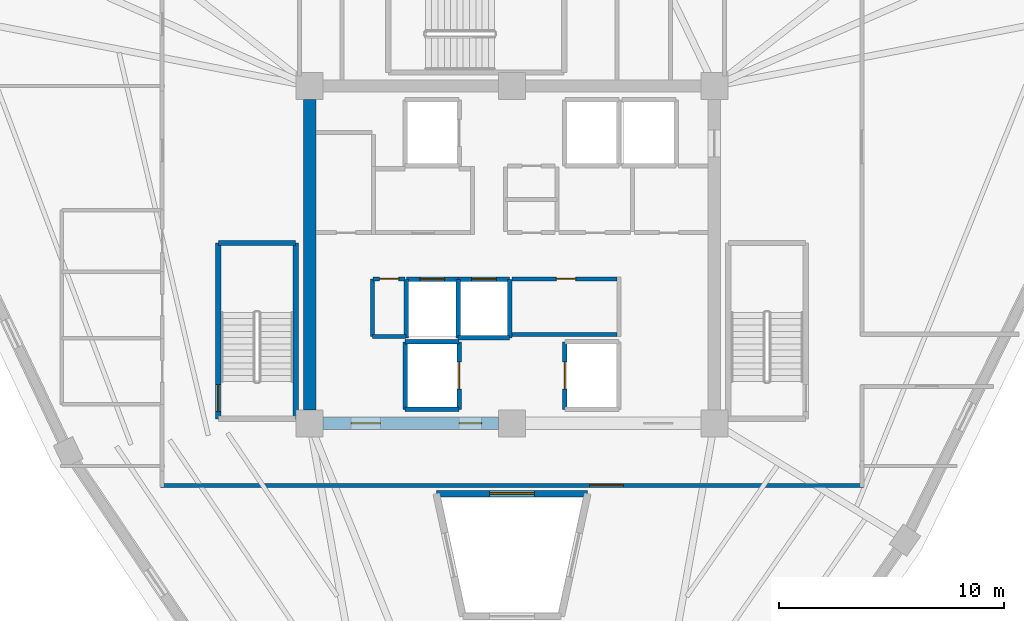
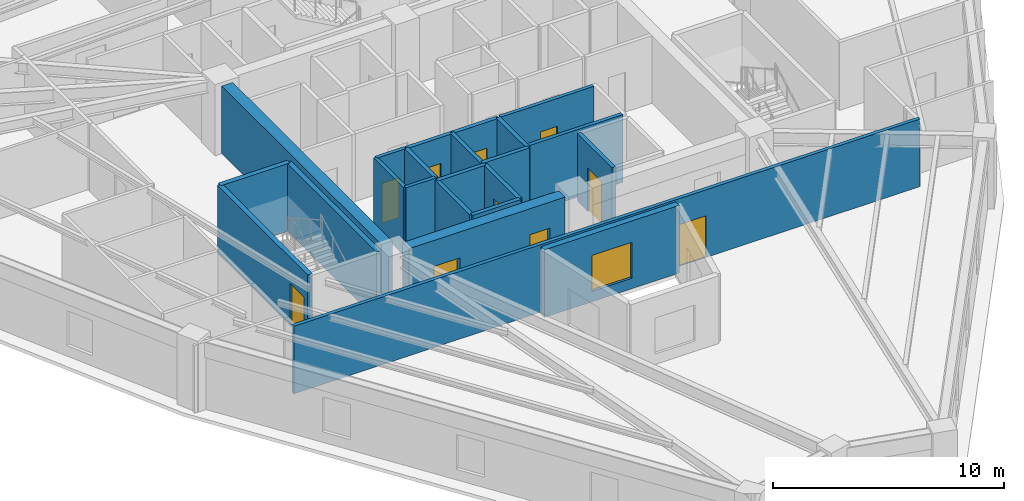
# One storey, part 3 of 8: 23 walls, 10 doors, 1 window, 11 openings.
"""IFC4 building model written with IfcOpenShell, lengths in metres."""

from ifc_helpers import new_model, si_unit, direction, frame, frame_2d, origin, place, context, subcontext, project, spatial, rectangle, extrude, source, transform, mapped, material, layer, layer_set, type_object, element, fill, save


model = new_model("IFC4")

# Units and contexts
model_context = context("Model", 3, precision=1e-05, world=origin(), true_north=direction((0.0, 1.0)))
body_context = subcontext(model_context, "Body", "Model", "MODEL_VIEW")
ifc_project = project(units=[si_unit("LENGTHUNIT", "METRE"), si_unit("AREAUNIT", "SQUARE_METRE"), si_unit("VOLUMEUNIT", "CUBIC_METRE"), si_unit("PLANEANGLEUNIT", "RADIAN"), si_unit("MASSUNIT", "GRAM", prefix="KILO")], contexts=[model_context])

# Site, building, storey
site_placement = place(None, origin())
site = spatial("IfcSite", under=ifc_project, at=site_placement, CompositionType="ELEMENT")
building_placement = place(site_placement, origin())
building = spatial("IfcBuilding", under=site, at=building_placement, Name="Liaohun Quay Tower", CompositionType="ELEMENT")
storey_placement = place(building_placement, frame((0.0, 0.0, 332.25)))
storey = spatial("IfcBuildingStorey", under=building, at=storey_placement, Name="L86", CompositionType="ELEMENT", Elevation=332.25)

# Wall, opening, window
ifc_material_1 = material(Name="Concrete C50", Category="concrete")
ifc_layer_1 = layer(ifc_material_1, 0.300048828125, Name="Concrete C50", Category="concrete")
ifc_layer_set_1 = layer_set([ifc_layer_1], Name="Concrete C50")
wall_type_1 = type_object("IfcWallType", Name="WAL-ATR-300", PredefinedType="SOLIDWALL", material=ifc_layer_set_1)
wall_1_placement = place(storey_placement, frame((56.631103515625, 43.3701171875, 0.0), z_axis=(0.0, 0.0, 1.0), x_axis=(1.0, 0.0, 0.0)))
wall_1 = element("IfcWall", 1, at=wall_1_placement, inside=storey, type_object=wall_type_1, Name="L86 Atrium Fire Compartment Wall 2", PredefinedType="SOLIDWALL", context=body_context, shape_type="SweptSolid", body=[
    extrude(rectangle(XDim=6.73779296875, YDim=0.300048828125, at=frame_2d((3.368896484375, 0.0))), origin(), (0.0, 0.0, 1.0), 3.570068359375),
])
shared_shape_1 = source(origin(), body_context, "Body", "SweptSolid", [
    extrude(rectangle(XDim=2.0, YDim=1.89990234375, at=frame_2d((1.0, 0.949951171875))), frame((0.0, 0.159912109375, 0.0), z_axis=(0.0, -1.0, 0.0), x_axis=(1.0, 0.0, 0.0)), (0.0, 0.0, 1.0), 0.320068359375),
])
opening_1_placement = place(wall_1_placement, frame((2.368896484375, 0.0, 0.550048828125)))
opening_1 = element("IfcOpeningElement", 2, at=opening_1_placement, cuts=wall_1, Name="Opening W07", PredefinedType="OPENING", context=body_context, shape_type="MappedRepresentation", body=[
    mapped(shared_shape_1, transform((0.0, 0.0, 0.0), x_axis=(1.0, 0.0, 0.0), y_axis=(0.0, 1.0, 0.0), z_axis=(0.0, 0.0, 1.0), scale=1.0)),
])
ifc_material_2 = material(Name="Class A 180-min fire-resistant insulated glazing", Category="glass")
window_type = type_object("IfcWindowType", Name="WIN-ATR-FIR", PartitioningType="DOUBLE_PANEL_VERTICAL", PredefinedType="WINDOW", material=ifc_material_2)
shared_shape_2 = source(origin(), body_context, "Body", "SweptSolid", [
    extrude(rectangle(XDim=2.0, YDim=1.89990234375, at=frame_2d((1.0, 0.949951171875))), frame((0.0, 0.030029296875, 0.0), z_axis=(0.0, -1.0, 0.0), x_axis=(1.0, 0.0, 0.0)), (0.0, 0.0, 1.0), 0.06005859375),
])
window_placement = place(opening_1_placement, origin())
window = element("IfcWindow", 3, at=window_placement, inside=storey, type_object=window_type, Name="L86 Atrium Fire-Resistant Glazing W07-2", OverallHeight=1.89990234375, OverallWidth=2.0, PartitioningType="DOUBLE_PANEL_VERTICAL", PredefinedType="WINDOW", context=body_context, shape_type="MappedRepresentation", body=[
    mapped(shared_shape_2, transform((0.0, 0.0, 0.0), x_axis=(1.0, 0.0, 0.0), y_axis=(0.0, 1.0, 0.0), z_axis=(0.0, 0.0, 1.0), scale=1.0)),
])
fill(opening_1, window)

# Wall, openings, doors
ifc_layer_2 = layer(ifc_material_1, 0.550048828125, Name="Concrete C50", Category="concrete")
ifc_layer_set_2 = layer_set([ifc_layer_2], Name="Concrete C50")
wall_type_2 = type_object("IfcWallType", Name="WAL-COR-Z4", PredefinedType="SHEAR", material=ifc_layer_set_2)
wall_2_placement = place(storey_placement, frame((59.39990234375, 46.5, 0.0), z_axis=(0.0, 0.0, 1.0), x_axis=(-1.0, 0.0, 0.0)))
wall_2 = element("IfcWall", 4, at=wall_2_placement, inside=storey, type_object=wall_type_2, Name="L86 Central Core Shear Wall S-W", PredefinedType="SHEAR", context=body_context, shape_type="SweptSolid", body=[
    extrude(rectangle(XDim=7.7998046875, YDim=0.550048828125, at=frame_2d((3.89990234375, 0.0))), origin(), (0.0, 0.0, 1.0), 3.570068359375),
])
shared_shape_3 = source(origin(), body_context, "Body", "SweptSolid", [
    extrude(rectangle(XDim=1.300048828125, YDim=2.199951171875, at=frame_2d((0.64990234375, 1.10009765625))), frame((0.0, 0.284912109375, 0.0), z_axis=(0.0, -1.0, 0.0), x_axis=(1.0, 0.0, 0.0)), (0.0, 0.0, 1.0), 0.570068359375),
])
opening_2_placement = place(wall_2_placement, frame((5.25, 0.0, 0.0)))
opening_2 = element("IfcOpeningElement", 5, at=opening_2_placement, cuts=wall_2, Name="Opening FD1", PredefinedType="OPENING", context=body_context, shape_type="MappedRepresentation", body=[
    mapped(shared_shape_3, transform((0.0, 0.0, 0.0), x_axis=(1.0, 0.0, 0.0), y_axis=(0.0, 1.0, 0.0), z_axis=(0.0, 0.0, 1.0), scale=1.0)),
])
shared_shape_4 = source(origin(), body_context, "Body", "SweptSolid", [
    extrude(rectangle(XDim=1.0, YDim=2.199951171875, at=frame_2d((0.5, 1.10009765625))), frame((0.0, 0.284912109375, 0.0), z_axis=(0.0, -1.0, 0.0), x_axis=(1.0, 0.0, 0.0)), (0.0, 0.0, 1.0), 0.570068359375),
])
opening_3_placement = place(wall_2_placement, frame((0.75, 0.0, 0.0)))
opening_3 = element("IfcOpeningElement", 6, at=opening_3_placement, cuts=wall_2, Name="Opening FD2", PredefinedType="OPENING", context=body_context, shape_type="MappedRepresentation", body=[
    mapped(shared_shape_4, transform((0.0, 0.0, 0.0), x_axis=(1.0, 0.0, 0.0), y_axis=(0.0, 1.0, 0.0), z_axis=(0.0, 0.0, 1.0), scale=1.0)),
])
ifc_material_3 = material(Name="Galvanised steel smokeproof fire door", Category="steel")
door_type_1 = type_object("IfcDoorType", Name="DOR-FFL-1300", OperationType="NOTDEFINED", PredefinedType="DOOR", material=ifc_material_3)
shared_shape_5 = source(origin(), body_context, "Body", "SweptSolid", [
    extrude(rectangle(XDim=1.300048828125, YDim=2.199951171875, at=frame_2d((0.64990234375, 1.10009765625))), frame((0.0, 0.02490234375, 0.0), z_axis=(0.0, -1.0, 0.0), x_axis=(1.0, 0.0, 0.0)), (0.0, 0.0, 1.0), 0.050048828125),
])
door_1_placement = place(opening_2_placement, origin())
door_1 = element("IfcDoor", 7, at=door_1_placement, inside=storey, type_object=door_type_1, Name="L86 West Core Lift Lobby Smokeproof Door", OperationType="SINGLE_SWING_RIGHT", OverallHeight=2.199951171875, OverallWidth=1.300048828125, PredefinedType="DOOR", context=body_context, shape_type="MappedRepresentation", body=[
    mapped(shared_shape_5, transform((0.0, 0.0, 0.0), x_axis=(1.0, 0.0, 0.0), y_axis=(0.0, 1.0, 0.0), z_axis=(0.0, 0.0, 1.0), scale=1.0)),
])
fill(opening_2, door_1)
ifc_material_4 = material(Name="Galvanised steel smokeproof lobby fire door", Category="steel")
door_type_2 = type_object("IfcDoorType", Name="DOR-FFL-1000", OperationType="NOTDEFINED", PredefinedType="DOOR", material=ifc_material_4)
shared_shape_6 = source(origin(), body_context, "Body", "SweptSolid", [
    extrude(rectangle(XDim=1.0, YDim=2.199951171875, at=frame_2d((0.5, 1.10009765625))), frame((0.0, 0.02490234375, 0.0), z_axis=(0.0, -1.0, 0.0), x_axis=(1.0, 0.0, 0.0)), (0.0, 0.0, 1.0), 0.050048828125),
])
door_2_placement = place(opening_3_placement, origin())
door_2 = element("IfcDoor", 8, at=door_2_placement, inside=storey, type_object=door_type_2, Name="L86 South Firefighting Lobby Smokeproof Door", OperationType="SINGLE_SWING_LEFT", OverallHeight=2.199951171875, OverallWidth=1.0, PredefinedType="DOOR", context=body_context, shape_type="MappedRepresentation", body=[
    mapped(shared_shape_6, transform((0.0, 0.0, 0.0), x_axis=(1.0, 0.0, 0.0), y_axis=(0.0, 1.0, 0.0), z_axis=(0.0, 0.0, 1.0), scale=1.0)),
])
fill(opening_3, door_2)

# Wall
wall_3_placement = place(storey_placement, frame((51.0, 47.10009765625, 0.0), z_axis=(0.0, 0.0, 1.0), x_axis=(0.0, 1.0, 0.0)))
element("IfcWall", 9, at=wall_3_placement, inside=storey, type_object=wall_type_2, Name="L86 Central Core Shear Wall W", PredefinedType="SHEAR", context=body_context, shape_type="SweptSolid", body=[
    extrude(rectangle(XDim=13.7998046875, YDim=0.550048828125, at=frame_2d((6.89990234375, 0.0))), origin(), (0.0, 0.0, 1.0), 3.570068359375),
])

# Wall, opening, door
ifc_material_5 = material(Name="Autoclaved aerated concrete blockwork", Category="masonry")
ifc_layer_3 = layer(ifc_material_5, 0.179931640625, Name="Autoclaved aerated concrete blockwork", Category="masonry")
ifc_layer_set_3 = layer_set([ifc_layer_3], Name="Autoclaved aerated concrete blockwork")
wall_type_3 = type_object("IfcWallType", Name="WAL-PRT-COR", PredefinedType="PARTITIONING", material=ifc_layer_set_3)
wall_4_placement = place(storey_placement, frame((60.0, 52.919921875, 0.0), z_axis=(0.0, 0.0, 1.0), x_axis=(1.0, 0.0, 0.0)))
wall_4 = element("IfcWall", 10, at=wall_4_placement, inside=storey, type_object=wall_type_3, Name="L86 Interior Partition Wall 001", PredefinedType="PARTITIONING", context=body_context, shape_type="SweptSolid", body=[
    extrude(rectangle(XDim=4.659912109375, YDim=0.179931640625, at=frame_2d((2.330078125, 0.0))), origin(), (0.0, 0.0, 1.0), 3.570068359375),
])
shared_shape_7 = source(origin(), body_context, "Body", "SweptSolid", [
    extrude(rectangle(XDim=0.85009765625, YDim=2.10009765625, at=frame_2d((0.425048828125, 1.050048828125))), frame((0.0, 0.099853515625, 0.0), z_axis=(0.0, -1.0, 0.0), x_axis=(1.0, 0.0, 0.0)), (0.0, 0.0, 1.0), 0.199951171875),
])
opening_4_placement = place(wall_4_placement, frame((1.97509765625, 0.0, 0.0)))
opening_4 = element("IfcOpeningElement", 11, at=opening_4_placement, cuts=wall_4, Name="Opening AD1", PredefinedType="OPENING", context=body_context, shape_type="MappedRepresentation", body=[
    mapped(shared_shape_7, transform((0.0, 0.0, 0.0), x_axis=(1.0, 0.0, 0.0), y_axis=(0.0, 1.0, 0.0), z_axis=(0.0, 0.0, 1.0), scale=1.0)),
])
ifc_material_6 = material(Name="Steel riser inspection fire door", Category="steel")
door_type_3 = type_object("IfcDoorType", Name="DOR-SHF-850", OperationType="NOTDEFINED", PredefinedType="DOOR", material=ifc_material_6)
shared_shape_8 = source(origin(), body_context, "Body", "SweptSolid", [
    extrude(rectangle(XDim=0.85009765625, YDim=2.10009765625, at=frame_2d((0.425048828125, 1.050048828125))), frame((0.0, 0.02490234375, 0.0), z_axis=(0.0, -1.0, 0.0), x_axis=(1.0, 0.0, 0.0)), (0.0, 0.0, 1.0), 0.050048828125),
])
door_3_placement = place(opening_4_placement, origin())
door_3 = element("IfcDoor", 12, at=door_3_placement, inside=storey, type_object=door_type_3, Name="L86 Core High-Zone BMS and Switch Room Door", OperationType="SINGLE_SWING_RIGHT", OverallHeight=2.10009765625, OverallWidth=0.85009765625, PredefinedType="DOOR", context=body_context, shape_type="MappedRepresentation", body=[
    mapped(shared_shape_8, transform((0.0, 0.0, 0.0), x_axis=(1.0, 0.0, 0.0), y_axis=(0.0, 1.0, 0.0), z_axis=(0.0, 0.0, 1.0), scale=1.0)),
])
fill(opening_4, door_3)

wall_5_placement = place(storey_placement, frame((53.820068359375, 52.919921875, 0.0), z_axis=(0.0, 0.0, 1.0), x_axis=(1.0, 0.0, 0.0)))
wall_5 = element("IfcWall", 13, at=wall_5_placement, inside=storey, type_object=wall_type_3, Name="L86 Interior Partition Wall 008", PredefinedType="PARTITIONING", context=body_context, shape_type="SweptSolid", body=[
    extrude(rectangle(XDim=1.429931640625, YDim=0.179931640625, at=frame_2d((0.71484375, 0.0))), origin(), (0.0, 0.0, 1.0), 3.570068359375),
])
opening_5_placement = place(wall_5_placement, frame((0.2900390625, 0.0, 0.0)))
opening_5 = element("IfcOpeningElement", 14, at=opening_5_placement, cuts=wall_5, Name="Opening AD1", PredefinedType="OPENING", context=body_context, shape_type="MappedRepresentation", body=[
    mapped(shared_shape_7, transform((0.0, 0.0, 0.0), x_axis=(1.0, 0.0, 0.0), y_axis=(0.0, 1.0, 0.0), z_axis=(0.0, 0.0, 1.0), scale=1.0)),
])
door_4_placement = place(opening_5_placement, origin())
door_4 = element("IfcDoor", 15, at=door_4_placement, inside=storey, type_object=door_type_3, Name="L86 Core Fire Hose and Riser Closet Door", OperationType="SINGLE_SWING_LEFT", OverallHeight=2.10009765625, OverallWidth=0.85009765625, PredefinedType="DOOR", context=body_context, shape_type="MappedRepresentation", body=[
    mapped(shared_shape_8, transform((0.0, 0.0, 0.0), x_axis=(1.0, 0.0, 0.0), y_axis=(0.0, 1.0, 0.0), z_axis=(0.0, 0.0, 1.0), scale=1.0)),
])
fill(opening_5, door_4)

wall_6_placement = place(storey_placement, frame((75.6298828125, 43.739990234375, 0.0), z_axis=(0.0, 0.0, 1.0), x_axis=(-1.0, 0.0, 0.0)))
wall_6 = element("IfcWall", 16, at=wall_6_placement, inside=storey, type_object=wall_type_3, Name="L86 Interior Partition Wall 026", PredefinedType="PARTITIONING", context=body_context, shape_type="SweptSolid", body=[
    extrude(rectangle(XDim=31.259765625, YDim=0.179931640625, at=frame_2d((15.6298828125, 0.0))), origin(), (0.0, 0.0, 1.0), 3.570068359375),
])
shared_shape_9 = source(origin(), body_context, "Body", "SweptSolid", [
    extrude(rectangle(XDim=1.5, YDim=2.199951171875, at=frame_2d((0.75, 1.10009765625))), frame((0.0, 0.099853515625, 0.0), z_axis=(0.0, -1.0, 0.0), x_axis=(1.0, 0.0, 0.0)), (0.0, 0.0, 1.0), 0.199951171875),
])
opening_6_placement = place(wall_6_placement, frame((10.679931640625, 0.0, 0.0)))
opening_6 = element("IfcOpeningElement", 17, at=opening_6_placement, cuts=wall_6, Name="Opening OD2", PredefinedType="OPENING", context=body_context, shape_type="MappedRepresentation", body=[
    mapped(shared_shape_9, transform((0.0, 0.0, 0.0), x_axis=(1.0, 0.0, 0.0), y_axis=(0.0, 1.0, 0.0), z_axis=(0.0, 0.0, 1.0), scale=1.0)),
])
ifc_material_7 = material(Name="Acoustic oak veneer double door")
door_type_4 = type_object("IfcDoorType", Name="DOR-OFF-1500", OperationType="DOUBLE_DOOR_SINGLE_SWING", PredefinedType="DOOR", material=ifc_material_7)
shared_shape_10 = source(origin(), body_context, "Body", "SweptSolid", [
    extrude(rectangle(XDim=1.5, YDim=2.199951171875, at=frame_2d((0.75, 1.10009765625))), frame((0.0, 0.02490234375, 0.0), z_axis=(0.0, -1.0, 0.0), x_axis=(1.0, 0.0, 0.0)), (0.0, 0.0, 1.0), 0.050048828125),
])
door_5_placement = place(opening_6_placement, origin())
door_5 = element("IfcDoor", 18, at=door_5_placement, inside=storey, type_object=door_type_4, Name="L86 Corporate Exhibition Gallery 08 Door", OperationType="DOUBLE_DOOR_SINGLE_SWING", OverallHeight=2.199951171875, OverallWidth=1.5, PredefinedType="DOOR", context=body_context, shape_type="MappedRepresentation", body=[
    mapped(shared_shape_10, transform((0.0, 0.0, 0.0), x_axis=(1.0, 0.0, 0.0), y_axis=(0.0, 1.0, 0.0), z_axis=(0.0, 0.0, 1.0), scale=1.0)),
])
fill(opening_6, door_5)

# Walls
wall_7_placement = place(storey_placement, frame((53.7900390625, 50.35009765625, 0.0), z_axis=(0.0, 0.0, 1.0), x_axis=(0.0, 1.0, 0.0)))
element("IfcWall", 19, at=wall_7_placement, inside=storey, type_object=wall_type_3, Name="L86 Interior Partition Wall 033", PredefinedType="PARTITIONING", context=body_context, shape_type="SweptSolid", body=[
    extrude(rectangle(XDim=2.56982421875, YDim=0.179931640625, at=frame_2d((1.284912109375, 0.0))), origin(), (0.0, 0.0, 1.0), 3.570068359375),
])
wall_8_placement = place(storey_placement, frame((53.7900390625, 50.35009765625, 0.0), z_axis=(0.0, 0.0, 1.0), x_axis=(1.0, 0.0, 0.0)))
element("IfcWall", 20, at=wall_8_placement, inside=storey, type_object=wall_type_3, Name="L86 Interior Partition Wall 034", PredefinedType="PARTITIONING", context=body_context, shape_type="SweptSolid", body=[
    extrude(rectangle(XDim=1.489990234375, YDim=0.179931640625, at=frame_2d((0.7451171875, 0.0))), origin(), (0.0, 0.0, 1.0), 3.570068359375),
])
wall_9_placement = place(storey_placement, frame((60.0, 50.449951171875, 0.0), z_axis=(0.0, 0.0, 1.0), x_axis=(1.0, 0.0, 0.0)))
element("IfcWall", 21, at=wall_9_placement, inside=storey, type_object=wall_type_3, Name="L86 Interior Partition Wall 062", PredefinedType="PARTITIONING", context=body_context, shape_type="SweptSolid", body=[
    extrude(rectangle(XDim=4.659912109375, YDim=0.179931640625, at=frame_2d((2.330078125, 0.0))), origin(), (0.0, 0.0, 1.0), 3.570068359375),
])
ifc_layer_4 = layer(ifc_material_1, 0.239990234375, Name="Concrete C50", Category="concrete")
ifc_layer_set_4 = layer_set([ifc_layer_4], Name="Concrete C50")
wall_type_4 = type_object("IfcWallType", Name="WAL-SHF-200", PredefinedType="SOLIDWALL", material=ifc_layer_set_4)
wall_10_placement = place(storey_placement, frame((50.3798828125, 46.699951171875, 0.0), z_axis=(0.0, 0.0, 1.0), x_axis=(0.0, 1.0, 0.0)))
element("IfcWall", 22, at=wall_10_placement, inside=storey, type_object=wall_type_4, Name="L86 Stairwell ST-1 Structural Core Wall E", PredefinedType="SOLIDWALL", context=body_context, shape_type="SweptSolid", body=[
    extrude(rectangle(XDim=7.820068359375, YDim=0.239990234375, at=frame_2d((3.91015625, 0.0))), origin(), (0.0, 0.0, 1.0), 3.570068359375),
])
wall_11_placement = place(storey_placement, frame((50.3798828125, 54.52001953125, 0.0), z_axis=(0.0, 0.0, 1.0), x_axis=(-1.0, 0.0, 0.0)))
element("IfcWall", 23, at=wall_11_placement, inside=storey, type_object=wall_type_4, Name="L86 Stairwell ST-1 Structural Core Wall N", PredefinedType="SOLIDWALL", context=body_context, shape_type="SweptSolid", body=[
    extrude(rectangle(XDim=3.43994140625, YDim=0.239990234375, at=frame_2d((1.719970703125, 0.0))), origin(), (0.0, 0.0, 1.0), 3.570068359375),
])

# Wall, opening, door
wall_12_placement = place(storey_placement, frame((46.93994140625, 54.52001953125, 0.0), z_axis=(0.0, 0.0, 1.0), x_axis=(0.0, -1.0, 0.0)))
wall_12 = element("IfcWall", 24, at=wall_12_placement, inside=storey, type_object=wall_type_4, Name="L86 Stairwell ST-1 Structural Core Wall W", PredefinedType="SOLIDWALL", context=body_context, shape_type="SweptSolid", body=[
    extrude(rectangle(XDim=7.820068359375, YDim=0.239990234375, at=frame_2d((3.91015625, 0.0))), origin(), (0.0, 0.0, 1.0), 3.570068359375),
])
shared_shape_11 = source(origin(), body_context, "Body", "SweptSolid", [
    extrude(rectangle(XDim=1.199951171875, YDim=2.199951171875, at=frame_2d((0.60009765625, 1.10009765625))), frame((0.0, 0.1298828125, 0.0), z_axis=(0.0, -1.0, 0.0), x_axis=(1.0, 0.0, 0.0)), (0.0, 0.0, 1.0), 0.260009765625),
])
opening_7_placement = place(wall_12_placement, frame((6.300048828125, 0.0, 0.0)))
opening_7 = element("IfcOpeningElement", 25, at=opening_7_placement, cuts=wall_12, Name="Opening SD1", PredefinedType="OPENING", context=body_context, shape_type="MappedRepresentation", body=[
    mapped(shared_shape_11, transform((0.0, 0.0, 0.0), x_axis=(1.0, 0.0, 0.0), y_axis=(0.0, 1.0, 0.0), z_axis=(0.0, 0.0, 1.0), scale=1.0)),
])
ifc_material_8 = material(Name="Galvanised steel fire door", Category="steel")
door_type_5 = type_object("IfcDoorType", Name="DOR-STR-1200", OperationType="NOTDEFINED", PredefinedType="DOOR", material=ifc_material_8)
shared_shape_12 = source(origin(), body_context, "Body", "SweptSolid", [
    extrude(rectangle(XDim=1.199951171875, YDim=2.199951171875, at=frame_2d((0.60009765625, 1.10009765625))), frame((0.0, 0.02490234375, 0.0), z_axis=(0.0, -1.0, 0.0), x_axis=(1.0, 0.0, 0.0)), (0.0, 0.0, 1.0), 0.050048828125),
])
door_6_placement = place(opening_7_placement, origin())
door_6 = element("IfcDoor", 26, at=door_6_placement, inside=storey, type_object=door_type_5, Name="L86 Protected Stair ST-1 Fire Door", OperationType="SINGLE_SWING_LEFT", OverallHeight=2.199951171875, OverallWidth=1.199951171875, PredefinedType="DOOR", context=body_context, shape_type="MappedRepresentation", body=[
    mapped(shared_shape_12, transform((0.0, 0.0, 0.0), x_axis=(1.0, 0.0, 0.0), y_axis=(0.0, 1.0, 0.0), z_axis=(0.0, 0.0, 1.0), scale=1.0)),
])
fill(opening_7, door_6)

# Wall
wall_13_placement = place(storey_placement, frame((55.25, 47.1201171875, 0.0), z_axis=(0.0, 0.0, 1.0), x_axis=(1.0, 0.0, 0.0)))
element("IfcWall", 27, at=wall_13_placement, inside=storey, type_object=wall_type_4, Name="L86 Lift FF-01 Hoistway Wall S", PredefinedType="SOLIDWALL", context=body_context, shape_type="SweptSolid", body=[
    extrude(rectangle(XDim=2.39990234375, YDim=0.199951171875, at=frame_2d((1.199951171875, 0.0))), origin(), (0.0, 0.0, 1.0), 3.570068359375),
])

# Wall, opening, door
wall_14_placement = place(storey_placement, frame((57.64990234375, 47.1201171875, 0.0), z_axis=(0.0, 0.0, 1.0), x_axis=(0.0, 1.0, 0.0)))
wall_14 = element("IfcWall", 28, at=wall_14_placement, inside=storey, type_object=wall_type_4, Name="L86 Lift FF-01 Hoistway Wall E", PredefinedType="SOLIDWALL", context=body_context, shape_type="SweptSolid", body=[
    extrude(rectangle(XDim=3.0, YDim=0.199951171875, at=frame_2d((1.5, 0.0))), origin(), (0.0, 0.0, 1.0), 3.570068359375),
])
shared_shape_13 = source(origin(), body_context, "Body", "SweptSolid", [
    extrude(rectangle(XDim=1.199951171875, YDim=2.300048828125, at=frame_2d((0.60009765625, 1.14990234375))), frame((0.0, 0.10986328125, 0.0), z_axis=(0.0, -1.0, 0.0), x_axis=(1.0, 0.0, 0.0)), (0.0, 0.0, 1.0), 0.219970703125),
])
opening_8_placement = place(wall_14_placement, frame((0.89990234375, 0.0, 0.0)))
opening_8 = element("IfcOpeningElement", 29, at=opening_8_placement, cuts=wall_14, Name="Opening LD2", PredefinedType="OPENING", context=body_context, shape_type="MappedRepresentation", body=[
    mapped(shared_shape_13, transform((0.0, 0.0, 0.0), x_axis=(1.0, 0.0, 0.0), y_axis=(0.0, 1.0, 0.0), z_axis=(0.0, 0.0, 1.0), scale=1.0)),
])
ifc_material_9 = material(Name="Brushed stainless steel stretcher landing door", Category="steel")
door_type_6 = type_object("IfcDoorType", Name="DOR-LFT-1200", OperationType="SLIDING_TO_LEFT", PredefinedType="DOOR", material=ifc_material_9)
shared_shape_14 = source(origin(), body_context, "Body", "SweptSolid", [
    extrude(rectangle(XDim=1.199951171875, YDim=2.300048828125, at=frame_2d((0.60009765625, 1.14990234375))), frame((0.0, 0.02490234375, 0.0), z_axis=(0.0, -1.0, 0.0), x_axis=(1.0, 0.0, 0.0)), (0.0, 0.0, 1.0), 0.050048828125),
])
door_7_placement = place(opening_8_placement, origin())
door_7 = element("IfcDoor", 30, at=door_7_placement, inside=storey, type_object=door_type_6, Name="L86 Lift FF-01 Sliding Landing Door", OperationType="SLIDING_TO_LEFT", OverallHeight=2.300048828125, OverallWidth=1.199951171875, PredefinedType="DOOR", context=body_context, shape_type="MappedRepresentation", body=[
    mapped(shared_shape_14, transform((0.0, 0.0, 0.0), x_axis=(1.0, 0.0, 0.0), y_axis=(0.0, 1.0, 0.0), z_axis=(0.0, 0.0, 1.0), scale=1.0)),
])
fill(opening_8, door_7)

# Walls
wall_15_placement = place(storey_placement, frame((57.64990234375, 50.1201171875, 0.0), z_axis=(0.0, 0.0, 1.0), x_axis=(-1.0, 0.0, 0.0)))
element("IfcWall", 31, at=wall_15_placement, inside=storey, type_object=wall_type_4, Name="L86 Lift FF-01 Hoistway Wall N", PredefinedType="SOLIDWALL", context=body_context, shape_type="SweptSolid", body=[
    extrude(rectangle(XDim=2.39990234375, YDim=0.199951171875, at=frame_2d((1.199951171875, 0.0))), origin(), (0.0, 0.0, 1.0), 3.570068359375),
])
wall_16_placement = place(storey_placement, frame((55.25, 50.1201171875, 0.0), z_axis=(0.0, 0.0, 1.0), x_axis=(0.0, -1.0, 0.0)))
element("IfcWall", 32, at=wall_16_placement, inside=storey, type_object=wall_type_4, Name="L86 Lift FF-01 Hoistway Wall W", PredefinedType="SOLIDWALL", context=body_context, shape_type="SweptSolid", body=[
    extrude(rectangle(XDim=3.0, YDim=0.199951171875, at=frame_2d((1.5, 0.0))), origin(), (0.0, 0.0, 1.0), 3.570068359375),
])

# Wall, opening, door
wall_17_placement = place(storey_placement, frame((62.35009765625, 50.1201171875, 0.0), z_axis=(0.0, 0.0, 1.0), x_axis=(0.0, -1.0, 0.0)))
wall_17 = element("IfcWall", 33, at=wall_17_placement, inside=storey, type_object=wall_type_4, Name="L86 Lift FF-02 Hoistway Wall W", PredefinedType="SOLIDWALL", context=body_context, shape_type="SweptSolid", body=[
    extrude(rectangle(XDim=3.0, YDim=0.199951171875, at=frame_2d((1.5, 0.0))), origin(), (0.0, 0.0, 1.0), 3.570068359375),
])
opening_9_placement = place(wall_17_placement, frame((0.89990234375, 0.0, 0.0)))
opening_9 = element("IfcOpeningElement", 34, at=opening_9_placement, cuts=wall_17, Name="Opening LD2", PredefinedType="OPENING", context=body_context, shape_type="MappedRepresentation", body=[
    mapped(shared_shape_13, transform((0.0, 0.0, 0.0), x_axis=(1.0, 0.0, 0.0), y_axis=(0.0, 1.0, 0.0), z_axis=(0.0, 0.0, 1.0), scale=1.0)),
])
door_8_placement = place(opening_9_placement, origin())
door_8 = element("IfcDoor", 35, at=door_8_placement, inside=storey, type_object=door_type_6, Name="L86 Lift FF-02 Sliding Landing Door", OperationType="SLIDING_TO_LEFT", OverallHeight=2.300048828125, OverallWidth=1.199951171875, PredefinedType="DOOR", context=body_context, shape_type="MappedRepresentation", body=[
    mapped(shared_shape_14, transform((0.0, 0.0, 0.0), x_axis=(1.0, 0.0, 0.0), y_axis=(0.0, 1.0, 0.0), z_axis=(0.0, 0.0, 1.0), scale=1.0)),
])
fill(opening_9, door_8)

# Wall
wall_18_placement = place(storey_placement, frame((57.60009765625, 50.300048828125, 0.0), z_axis=(0.0, 0.0, 1.0), x_axis=(0.0, 1.0, 0.0)))
element("IfcWall", 36, at=wall_18_placement, inside=storey, type_object=wall_type_4, Name="L86 Lift PL-4A Hoistway Wall E", PredefinedType="SOLIDWALL", context=body_context, shape_type="SweptSolid", body=[
    extrude(rectangle(XDim=2.599853515625, YDim=0.199951171875, at=frame_2d((1.2998046875, 0.0))), origin(), (0.0, 0.0, 1.0), 3.570068359375),
])

# Wall, opening, door
wall_19_placement = place(storey_placement, frame((57.60009765625, 52.89990234375, 0.0), z_axis=(0.0, 0.0, 1.0), x_axis=(-1.0, 0.0, 0.0)))
wall_19 = element("IfcWall", 37, at=wall_19_placement, inside=storey, type_object=wall_type_4, Name="L86 Lift PL-4A Hoistway Wall N", PredefinedType="SOLIDWALL", context=body_context, shape_type="SweptSolid", body=[
    extrude(rectangle(XDim=2.300048828125, YDim=0.199951171875, at=frame_2d((1.14990234375, 0.0))), origin(), (0.0, 0.0, 1.0), 3.570068359375),
])
shared_shape_15 = source(origin(), body_context, "Body", "SweptSolid", [
    extrude(rectangle(XDim=1.10009765625, YDim=2.199951171875, at=frame_2d((0.550048828125, 1.10009765625))), frame((0.0, 0.10986328125, 0.0), z_axis=(0.0, -1.0, 0.0), x_axis=(1.0, 0.0, 0.0)), (0.0, 0.0, 1.0), 0.219970703125),
])
opening_10_placement = place(wall_19_placement, frame((0.60009765625, 0.0, 0.0)))
opening_10 = element("IfcOpeningElement", 38, at=opening_10_placement, cuts=wall_19, Name="Opening LD1", PredefinedType="OPENING", context=body_context, shape_type="MappedRepresentation", body=[
    mapped(shared_shape_15, transform((0.0, 0.0, 0.0), x_axis=(1.0, 0.0, 0.0), y_axis=(0.0, 1.0, 0.0), z_axis=(0.0, 0.0, 1.0), scale=1.0)),
])
ifc_material_10 = material(Name="Brushed stainless steel landing door", Category="steel")
door_type_7 = type_object("IfcDoorType", Name="DOR-LFT-1100", OperationType="SLIDING_TO_LEFT", PredefinedType="DOOR", material=ifc_material_10)
shared_shape_16 = source(origin(), body_context, "Body", "SweptSolid", [
    extrude(rectangle(XDim=1.10009765625, YDim=2.199951171875, at=frame_2d((0.550048828125, 1.10009765625))), frame((0.0, 0.02490234375, 0.0), z_axis=(0.0, -1.0, 0.0), x_axis=(1.0, 0.0, 0.0)), (0.0, 0.0, 1.0), 0.050048828125),
])
door_9_placement = place(opening_10_placement, origin())
door_9 = element("IfcDoor", 39, at=door_9_placement, inside=storey, type_object=door_type_7, Name="L86 Lift PL-4A Sliding Landing Door", OperationType="SLIDING_TO_LEFT", OverallHeight=2.199951171875, OverallWidth=1.10009765625, PredefinedType="DOOR", context=body_context, shape_type="MappedRepresentation", body=[
    mapped(shared_shape_16, transform((0.0, 0.0, 0.0), x_axis=(1.0, 0.0, 0.0), y_axis=(0.0, 1.0, 0.0), z_axis=(0.0, 0.0, 1.0), scale=1.0)),
])
fill(opening_10, door_9)

# Walls
wall_20_placement = place(storey_placement, frame((55.300048828125, 52.89990234375, 0.0), z_axis=(0.0, 0.0, 1.0), x_axis=(0.0, -1.0, 0.0)))
element("IfcWall", 40, at=wall_20_placement, inside=storey, type_object=wall_type_4, Name="L86 Lift PL-4A Hoistway Wall W", PredefinedType="SOLIDWALL", context=body_context, shape_type="SweptSolid", body=[
    extrude(rectangle(XDim=2.599853515625, YDim=0.199951171875, at=frame_2d((1.2998046875, 0.0))), origin(), (0.0, 0.0, 1.0), 3.570068359375),
])
wall_21_placement = place(storey_placement, frame((57.60009765625, 50.300048828125, 0.0), z_axis=(0.0, 0.0, 1.0), x_axis=(1.0, 0.0, 0.0)))
element("IfcWall", 41, at=wall_21_placement, inside=storey, type_object=wall_type_4, Name="L86 Lift PL-4B Hoistway Wall S", PredefinedType="SOLIDWALL", context=body_context, shape_type="SweptSolid", body=[
    extrude(rectangle(XDim=2.2998046875, YDim=0.199951171875, at=frame_2d((1.14990234375, 0.0))), origin(), (0.0, 0.0, 1.0), 3.570068359375),
])
wall_22_placement = place(storey_placement, frame((59.89990234375, 50.300048828125, 0.0), z_axis=(0.0, 0.0, 1.0), x_axis=(0.0, 1.0, 0.0)))
element("IfcWall", 42, at=wall_22_placement, inside=storey, type_object=wall_type_4, Name="L86 Lift PL-4B Hoistway Wall E", PredefinedType="SOLIDWALL", context=body_context, shape_type="SweptSolid", body=[
    extrude(rectangle(XDim=2.599853515625, YDim=0.199951171875, at=frame_2d((1.2998046875, 0.0))), origin(), (0.0, 0.0, 1.0), 3.570068359375),
])

# Wall, opening, door
wall_23_placement = place(storey_placement, frame((59.89990234375, 52.89990234375, 0.0), z_axis=(0.0, 0.0, 1.0), x_axis=(-1.0, 0.0, 0.0)))
wall_23 = element("IfcWall", 43, at=wall_23_placement, inside=storey, type_object=wall_type_4, Name="L86 Lift PL-4B Hoistway Wall N", PredefinedType="SOLIDWALL", context=body_context, shape_type="SweptSolid", body=[
    extrude(rectangle(XDim=2.2998046875, YDim=0.199951171875, at=frame_2d((1.14990234375, 0.0))), origin(), (0.0, 0.0, 1.0), 3.570068359375),
])
opening_11_placement = place(wall_23_placement, frame((0.60009765625, 0.0, 0.0)))
opening_11 = element("IfcOpeningElement", 44, at=opening_11_placement, cuts=wall_23, Name="Opening LD1", PredefinedType="OPENING", context=body_context, shape_type="MappedRepresentation", body=[
    mapped(shared_shape_15, transform((0.0, 0.0, 0.0), x_axis=(1.0, 0.0, 0.0), y_axis=(0.0, 1.0, 0.0), z_axis=(0.0, 0.0, 1.0), scale=1.0)),
])
door_10_placement = place(opening_11_placement, origin())
door_10 = element("IfcDoor", 45, at=door_10_placement, inside=storey, type_object=door_type_7, Name="L86 Lift PL-4B Sliding Landing Door", OperationType="SLIDING_TO_LEFT", OverallHeight=2.199951171875, OverallWidth=1.10009765625, PredefinedType="DOOR", context=body_context, shape_type="MappedRepresentation", body=[
    mapped(shared_shape_16, transform((0.0, 0.0, 0.0), x_axis=(1.0, 0.0, 0.0), y_axis=(0.0, 1.0, 0.0), z_axis=(0.0, 0.0, 1.0), scale=1.0)),
])
fill(opening_11, door_10)

save(model, "model.ifc")
